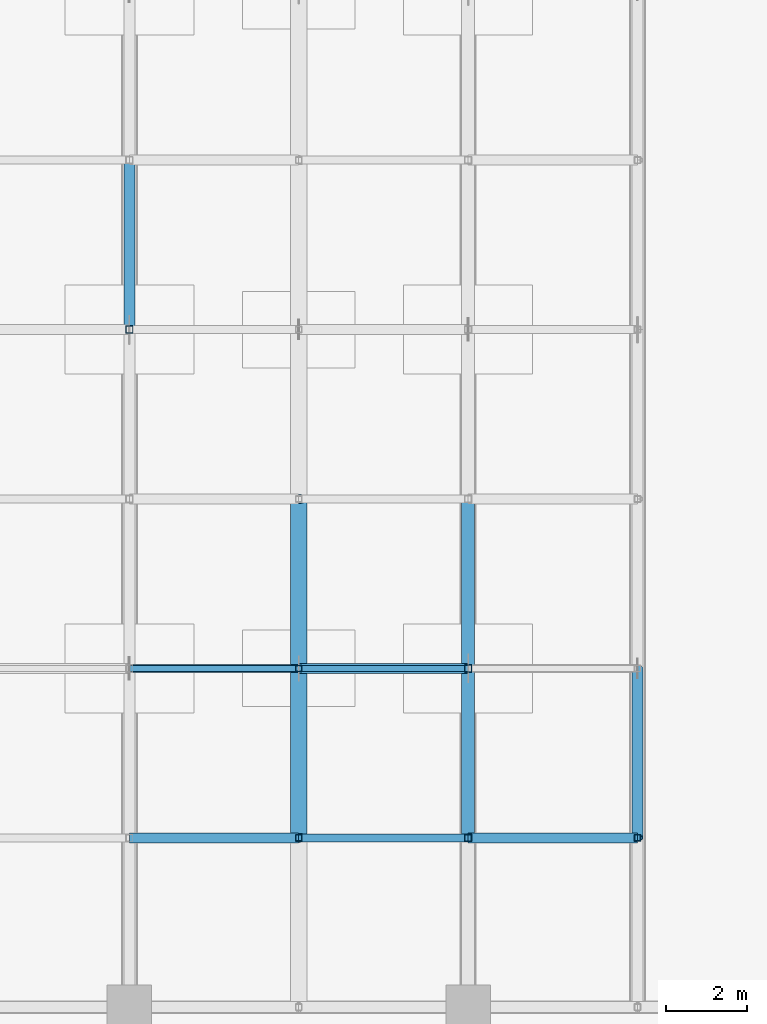
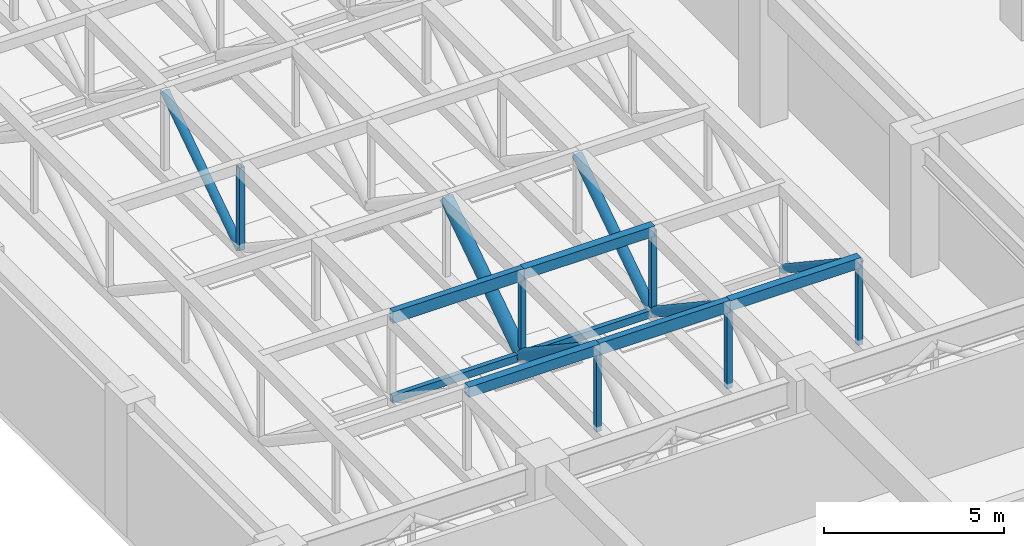
# One storey, part 15 of 47: 19 members.
"""IFC4 building model written with IfcOpenShell, lengths in metres."""

from ifc_helpers import new_model, si_unit, direction, frame, origin, origin_2d, place, context, subcontext, project, spatial, hollow_rectangle, hollow_circle, extrude, material, material_profile, profile_set, type_object, element, save


model = new_model("IFC4")

# Units and contexts
model_context = context("Model", 3, precision=1e-05, world=origin(), true_north=direction((0.0, 1.0)))
body_context = subcontext(model_context, "Body", "Model", "MODEL_VIEW")
ifc_project = project(units=[si_unit("LENGTHUNIT", "METRE"), si_unit("AREAUNIT", "SQUARE_METRE"), si_unit("VOLUMEUNIT", "CUBIC_METRE"), si_unit("PLANEANGLEUNIT", "RADIAN"), si_unit("MASSUNIT", "GRAM", prefix="KILO")], contexts=[model_context])

# Site, building, storey
site_placement = place(None, origin())
site = spatial("IfcSite", under=ifc_project, at=site_placement, CompositionType="ELEMENT")
building_placement = place(site_placement, origin())
building = spatial("IfcBuilding", under=site, at=building_placement, Name="Xuanlan Plaza Opera House", CompositionType="ELEMENT")
storey_placement = place(building_placement, frame((0.0, 0.0, 23.39990234375)))
storey = spatial("IfcBuildingStorey", under=building, at=storey_placement, Name="L05", CompositionType="ELEMENT", Elevation=23.39990234375)

# Members
ifc_material_1 = material(Name="Steel Q390B", Category="steel")
ifc_material_profile_1 = material_profile(ifc_material_1, hollow_circle(Radius=0.203125, WallThickness=0.01611328125, at=origin_2d()), Name="CHS 406.4x16")
ifc_profile_set_1 = profile_set([ifc_material_profile_1], Name="Steel Q390B")
member_type_1 = type_object("IfcMemberType", Name="STR-MEM-BR-01", PredefinedType="BRACE", material=ifc_profile_set_1)
for number, where, z_axis, x_axis, name in (
    (1, (79.800048828125, 46.199951171875, 4.05908203125), (0.0, 0.832042853317, -0.554711357594), (-1.0, 0.0, 0.0), "Auditorium Roof Truss AUD-03 Web Diagonal 2"),
    (2, (79.800048828125, 50.39990234375, 1.259033203125), (0.0, 0.832057734909, 0.554689035206), (-1.0, 0.0, 0.0), "Auditorium Roof Truss AUD-03 Web Diagonal 3"),
):
    element("IfcMember", number, at=place(storey_placement, frame(where, z_axis=z_axis, x_axis=x_axis)), inside=storey, type_object=member_type_1, Name=name, PredefinedType="BRACE", context=body_context, shape_type="SweptSolid", body=[
        extrude(hollow_circle(Radius=0.203125, WallThickness=0.01611328125, at=origin_2d()), origin(), (0.0, 0.0, 1.0), 5.0478515625),
    ])
ifc_material_2 = material(Name="Steel Q355B", Category="steel")
ifc_material_profile_2 = material_profile(ifc_material_2, hollow_circle(Radius=0.161865234375, WallThickness=0.013916015625, at=origin_2d()), Name="CHS 323.9x14")
ifc_profile_set_2 = profile_set([ifc_material_profile_2], Name="Steel Q355B")
member_type_2 = type_object("IfcMemberType", Name="STR-MEM-BR-03", PredefinedType="BRACE", material=ifc_profile_set_2)
for number, where, z_axis, x_axis, name in (
    (3, (84.0, 46.199951171875, 4.05908203125), (0.0, 0.832042853317, -0.554711357594), (-1.0, 0.0, 0.0), "Auditorium Roof Truss AUD-04 Web Diagonal 2"),
    (4, (84.0, 50.39990234375, 1.259033203125), (0.0, 0.832057734909, 0.554689035206), (-1.0, 0.0, 0.0), "Auditorium Roof Truss AUD-04 Web Diagonal 3"),
):
    element("IfcMember", number, at=place(storey_placement, frame(where, z_axis=z_axis, x_axis=x_axis)), inside=storey, type_object=member_type_2, Name=name, PredefinedType="BRACE", context=body_context, shape_type="SweptSolid", body=[
        extrude(hollow_circle(Radius=0.161865234375, WallThickness=0.013916015625, at=origin_2d()), origin(), (0.0, 0.0, 1.0), 5.0478515625),
    ])
ifc_material_profile_3 = material_profile(ifc_material_2, hollow_circle(Radius=0.136474609375, WallThickness=0.011962890625, at=origin_2d()), Name="CHS 273x12")
ifc_profile_set_3 = profile_set([ifc_material_profile_3], Name="Steel Q355B")
member_type_3 = type_object("IfcMemberType", Name="STR-MEM-BR-04", PredefinedType="BRACE", material=ifc_profile_set_3)
for number, where, z_axis, x_axis, name in (
    (5, (75.60009765625, 58.800048828125, 1.259033203125), (0.0, 0.832042853317, 0.554711357594), (-1.0, 0.0, 0.0), "Auditorium Roof Truss AUD-02 Web Diagonal 5"),
    (6, (88.199951171875, 46.199951171875, 4.05908203125), (0.0, 0.832042853317, -0.554711357594), (-1.0, 0.0, 0.0), "Auditorium Roof Truss AUD-05 Web Diagonal 2"),
):
    element("IfcMember", number, at=place(storey_placement, frame(where, z_axis=z_axis, x_axis=x_axis)), inside=storey, type_object=member_type_3, Name=name, PredefinedType="BRACE", context=body_context, shape_type="SweptSolid", body=[
        extrude(hollow_circle(Radius=0.136474609375, WallThickness=0.011962890625, at=origin_2d()), origin(), (0.0, 0.0, 1.0), 5.0478515625),
    ])
ifc_material_profile_4 = material_profile(ifc_material_2, hollow_rectangle(XDim=0.14990234375, YDim=0.25, WallThickness=0.010009765625, at=origin_2d()), Name="RHS 250x150x10")
ifc_profile_set_4 = profile_set([ifc_material_profile_4], Name="Steel Q355B")
member_type_4 = type_object("IfcMemberType", Name="STR-MEM-CL-M2", PredefinedType="COLLAR", material=ifc_profile_set_4)
for number, where, z_axis, x_axis, name in (
    (7, (75.60009765625, 50.39990234375, 1.259033203125), (1.0, 0.0, 0.0), (0.0, 1.0, 0.0), "Auditorium Truss Bottom Tie 2-3"),
    (8, (79.800048828125, 50.39990234375, 1.259033203125), (1.0, 0.0, 0.0), (0.0, 1.0, 0.0), "Auditorium Truss Bottom Tie 3-3"),
):
    element("IfcMember", number, at=place(storey_placement, frame(where, z_axis=z_axis, x_axis=x_axis)), inside=storey, type_object=member_type_4, Name=name, PredefinedType="COLLAR", context=body_context, shape_type="SweptSolid", body=[
        extrude(hollow_rectangle(XDim=0.14990234375, YDim=0.25, WallThickness=0.010009765625, at=origin_2d()), origin(), (0.0, 0.0, 1.0), 4.199951171875),
    ])
ifc_material_profile_5 = material_profile(ifc_material_2, hollow_rectangle(XDim=0.25, YDim=0.35009765625, WallThickness=0.011962890625, at=origin_2d()), Name="RHS 350x250x12")
ifc_profile_set_5 = profile_set([ifc_material_profile_5], Name="Steel Q355B")
member_type_5 = type_object("IfcMemberType", Name="STR-MEM-PR-03", PredefinedType="PURLIN", material=ifc_profile_set_5)
for number, where, z_axis, x_axis, name in (
    (9, (75.60009765625, 46.199951171875, 4.083984375), (1.0, 0.0, 0.0), (0.0, 1.0, 0.0), "Auditorium Shell Roof Purlin 2-2"),
    (10, (79.800048828125, 50.39990234375, 4.083984375), (1.0, 0.0, 0.0), (0.0, 1.0, 0.0), "Auditorium Shell Roof Purlin 3-3"),
    (11, (84.0, 46.199951171875, 4.083984375), (1.0, 0.0, 0.0), (0.0, 1.0, 0.0), "Auditorium Shell Roof Purlin 4-2"),
):
    element("IfcMember", number, at=place(storey_placement, frame(where, z_axis=z_axis, x_axis=x_axis)), inside=storey, type_object=member_type_5, Name=name, PredefinedType="PURLIN", context=body_context, shape_type="SweptSolid", body=[
        extrude(hollow_rectangle(XDim=0.25, YDim=0.35009765625, WallThickness=0.011962890625, at=origin_2d()), origin(), (0.0, 0.0, 1.0), 4.199951171875),
    ])
ifc_material_profile_6 = material_profile(ifc_material_2, hollow_rectangle(XDim=0.199951171875, YDim=0.39990234375, WallThickness=0.013916015625, at=origin_2d()), Name="RHS 400x200x14")
ifc_profile_set_6 = profile_set([ifc_material_profile_6], Name="Steel Q355B")
member_type_6 = type_object("IfcMemberType", Name="STR-MEM-PR-04", PredefinedType="PURLIN", material=ifc_profile_set_6)
for number, where, z_axis, x_axis, name in (
    (12, (75.60009765625, 50.39990234375, 4.05908203125), (1.0, 0.0, 0.0), (0.0, 1.0, 0.0), "Auditorium Shell Roof Purlin 2-3"),
    (13, (79.800048828125, 46.199951171875, 4.05908203125), (1.0, 0.0, 0.0), (0.0, 1.0, 0.0), "Auditorium Shell Roof Purlin 3-2"),
):
    element("IfcMember", number, at=place(storey_placement, frame(where, z_axis=z_axis, x_axis=x_axis)), inside=storey, type_object=member_type_6, Name=name, PredefinedType="PURLIN", context=body_context, shape_type="SweptSolid", body=[
        extrude(hollow_rectangle(XDim=0.199951171875, YDim=0.39990234375, WallThickness=0.013916015625, at=origin_2d()), origin(), (0.0, 0.0, 1.0), 4.199951171875),
    ])
ifc_material_profile_7 = material_profile(ifc_material_2, hollow_rectangle(XDim=0.179931640625, YDim=0.179931640625, WallThickness=0.010009765625, at=origin_2d()), Name="SHS 180x180x10")
ifc_profile_set_7 = profile_set([ifc_material_profile_7], Name="Steel Q355B")
member_type_7 = type_object("IfcMemberType", Name="STR-MEM-ST-M2", PredefinedType="STRUT", material=ifc_profile_set_7)
for number, where, z_axis, x_axis, name in (
    (14, (75.60009765625, 58.800048828125, 1.259033203125), (0.0, 0.0, 1.0), (1.0, 0.0, 0.0), "Auditorium Roof Truss AUD-02 Vertical Strut 4"),
    (15, (84.0, 46.199951171875, 1.259033203125), (0.0, 0.0, 1.0), (1.0, 0.0, 0.0), "Auditorium Roof Truss AUD-04 Vertical Strut 1"),
    (16, (84.0, 50.39990234375, 1.259033203125), (0.0, 0.0, 1.0), (1.0, 0.0, 0.0), "Auditorium Roof Truss AUD-04 Vertical Strut 2"),
):
    element("IfcMember", number, at=place(storey_placement, frame(where, z_axis=z_axis, x_axis=x_axis)), inside=storey, type_object=member_type_7, Name=name, PredefinedType="STRUT", context=body_context, shape_type="SweptSolid", body=[
        extrude(hollow_rectangle(XDim=0.179931640625, YDim=0.179931640625, WallThickness=0.010009765625, at=origin_2d()), origin(), (0.0, 0.0, 1.0), 2.800048828125),
    ])
ifc_material_profile_8 = material_profile(ifc_material_2, hollow_rectangle(XDim=0.159912109375, YDim=0.159912109375, WallThickness=0.008056640625, at=origin_2d()), Name="SHS 160x160x8")
ifc_profile_set_8 = profile_set([ifc_material_profile_8], Name="Steel Q355B")
member_type_8 = type_object("IfcMemberType", Name="STR-MEM-ST-M3", PredefinedType="STRUT", material=ifc_profile_set_8)
for number, where, z_axis, x_axis, name in (
    (17, (79.800048828125, 46.199951171875, 1.259033203125), (0.0, 0.0, 1.0), (1.0, 0.0, 0.0), "Auditorium Roof Truss AUD-03 Vertical Strut 1"),
    (18, (79.800048828125, 50.39990234375, 1.259033203125), (0.0, 0.0, 1.0), (1.0, 0.0, 0.0), "Auditorium Roof Truss AUD-03 Vertical Strut 2"),
    (19, (88.199951171875, 46.199951171875, 1.259033203125), (0.0, 0.0, 1.0), (1.0, 0.0, 0.0), "Auditorium Roof Truss AUD-05 Vertical Strut 1"),
):
    element("IfcMember", number, at=place(storey_placement, frame(where, z_axis=z_axis, x_axis=x_axis)), inside=storey, type_object=member_type_8, Name=name, PredefinedType="STRUT", context=body_context, shape_type="SweptSolid", body=[
        extrude(hollow_rectangle(XDim=0.159912109375, YDim=0.159912109375, WallThickness=0.008056640625, at=origin_2d()), origin(), (0.0, 0.0, 1.0), 2.800048828125),
    ])

save(model, "model.ifc")
